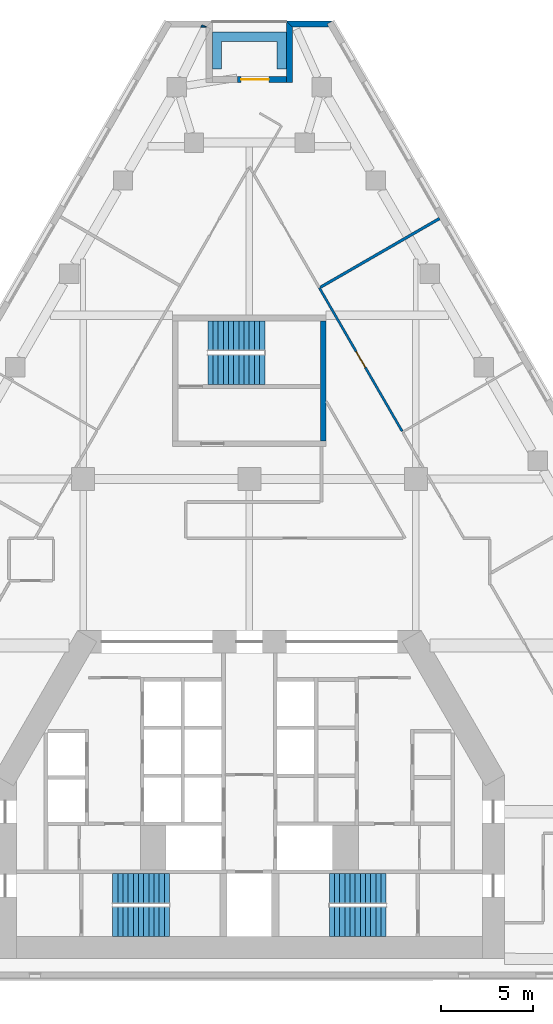
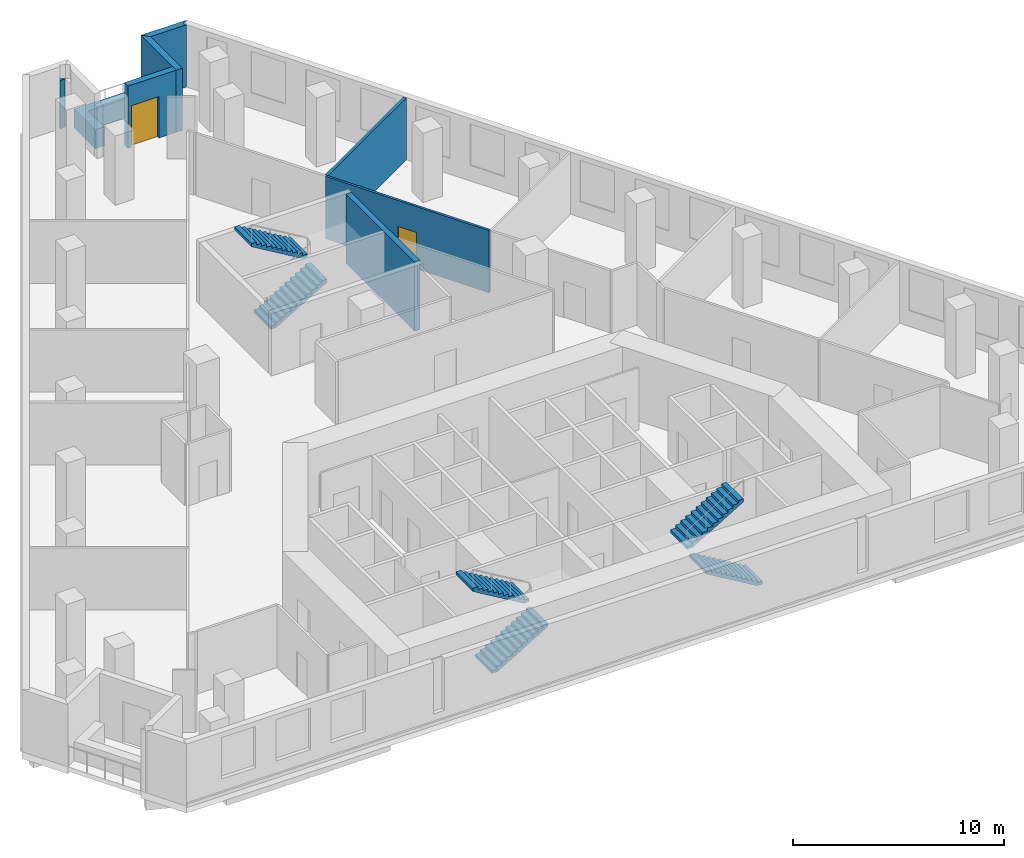
# One storey, part 9 of 10: 8 walls, 6 stair flights, 2 doors, 2 openings, 3 elements without a shape of their own.
"""IFC4 building model written with IfcOpenShell, lengths in metres."""

from ifc_helpers import new_model, si_unit, direction, frame, frame_2d, origin, place, context, subcontext, project, spatial, polyline, rectangle, outline, extrude, material, layer, layer_set, type_object, element, fill, aggregate, save


model = new_model("IFC4")

# Units and contexts
model_context = context("Model", 3, precision=1e-05, world=origin(), true_north=direction((0.0, 1.0)))
body_context = subcontext(model_context, "Body", "Model", "MODEL_VIEW")
ifc_project = project(units=[si_unit("LENGTHUNIT", "METRE"), si_unit("AREAUNIT", "SQUARE_METRE"), si_unit("VOLUMEUNIT", "CUBIC_METRE"), si_unit("PLANEANGLEUNIT", "RADIAN"), si_unit("MASSUNIT", "GRAM", prefix="KILO")], contexts=[model_context])

# Site, building, storey
site_placement = place(None, origin())
site = spatial("IfcSite", under=ifc_project, at=site_placement, CompositionType="ELEMENT")
building_placement = place(site_placement, origin())
building = spatial("IfcBuilding", under=site, at=building_placement, Name="Fogline Exchange Tower", CompositionType="ELEMENT")
storey_placement = place(building_placement, frame((0.0, 0.0, 128.10009765625)))
storey = spatial("IfcBuildingStorey", under=building, at=storey_placement, Name="L28", CompositionType="ELEMENT", Elevation=128.10009765625)

# Walls
ifc_material_1 = material(Name="Concrete C40", Category="concrete")
ifc_layer_1 = layer(ifc_material_1, 0.300048828125)
ifc_layer_set_1 = layer_set([ifc_layer_1], Name="CW30")
wall_type_1 = type_object("IfcWallType", Name="CW30", PredefinedType="SOLIDWALL", material=ifc_layer_set_1)
wall_1_placement = place(storey_placement, frame((4.0, 29.056884765625, -0.400146484375), z_axis=(0.0, 0.0, 1.0), x_axis=(0.0, 1.0, 0.0)))
element("IfcWall", 1, at=wall_1_placement, inside=storey, type_object=wall_type_1, Name="Stair enclosure wall ST3", PredefinedType="SOLIDWALL", context=body_context, shape_type="SweptSolid", body=[
    extrude(rectangle(XDim=6.5, YDim=0.300048828125, at=frame_2d((3.25, 0.0))), origin(), (0.0, 0.0, 1.0), 4.0),
])
ifc_material_2 = material(Name="Brick masonry", Category="masonry")
ifc_layer_2 = layer(ifc_material_2, 0.340087890625)
ifc_layer_set_2 = layer_set([ifc_layer_2], Name="FW1")
wall_type_2 = type_object("IfcWallType", Name="FW1", PredefinedType="SOLIDWALL", material=ifc_layer_set_2)
wall_2_placement = place(storey_placement, origin())
element("IfcWall", 2, at=wall_2_placement, inside=storey, type_object=wall_type_2, Name="Brick wall L28 N-c1", PredefinedType="SOLIDWALL", context=body_context, shape_type="SweptSolid", body=[
    extrude(outline(polyline([(1.9990234375, 51.77734375), (4.5009765625, 51.77734375), (4.501220703125, 51.776611328125), (4.206298828125, 51.6064453125), (4.3046875, 51.43603515625), (2.33984375, 51.43603515625), (1.998779296875, 51.77685546875), (1.9990234375, 51.77734375)])), origin(), (0.0, 0.0, 1.0), 3.599853515625),
])
wall_3_placement = place(storey_placement, origin())
element("IfcWall", 3, at=wall_3_placement, inside=storey, type_object=wall_type_2, Name="Brick wall L28 N-s1", PredefinedType="SOLIDWALL", context=body_context, shape_type="SweptSolid", body=[
    extrude(outline(polyline([(2.340576171875, 48.43603515625), (1.99951171875, 48.43603515625), (1.99951171875, 51.777587890625), (1.999755859375, 51.77783203125), (2.340576171875, 51.43701171875), (2.340576171875, 48.43603515625)])), origin(), (0.0, 0.0, 1.0), 3.599853515625),
])

# Wall, opening, door
wall_4_placement = place(storey_placement, frame((2.0, 48.606689453125, 0.0), z_axis=(0.0, 0.0, 1.0), x_axis=(-1.0, 0.0, 0.0)))
wall_4 = element("IfcWall", 4, at=wall_4_placement, inside=storey, type_object=wall_type_2, Name="Brick wall L28 N-bk", PredefinedType="SOLIDWALL", context=body_context, shape_type="SweptSolid", body=[
    extrude(rectangle(XDim=2.64404296875, YDim=0.340087890625, at=frame_2d((1.322021484375, 0.0))), origin(), (0.0, 0.0, 1.0), 3.599853515625),
])
opening_1_placement = place(wall_4_placement, frame((0.944091796875, 0.0, 0.0)))
opening_1 = element("IfcOpeningElement", 5, at=opening_1_placement, cuts=wall_4, Name="Opening T08-E141", PredefinedType="OPENING", context=body_context, shape_type="SweptSolid", body=[
    extrude(rectangle(XDim=1.5, YDim=2.39990234375, at=frame_2d((0.75, 1.199951171875))), frame((0.0, 0.18017578125, 0.0), z_axis=(0.0, -1.0, 0.0), x_axis=(1.0, 0.0, 0.0)), (0.0, 0.0, 1.0), 0.360107421875),
])
ifc_material_3 = material(Name="Aluminium and glass", Category="aluminium")
door_type_1 = type_object("IfcDoorType", Name="ED4", OperationType="SINGLE_SWING_LEFT", PredefinedType="DOOR", material=ifc_material_3)
door_1_placement = place(opening_1_placement, frame((1.5, 0.0, 0.0), z_axis=(0.0, 0.0, 1.0), x_axis=(-1.0, 0.0, 0.0)))
door_1 = element("IfcDoor", 6, at=door_1_placement, inside=storey, type_object=door_type_1, Name="Balcony door L28 N", OperationType="DOUBLE_DOOR_SINGLE_SWING", OverallHeight=2.39990234375, OverallWidth=1.5, PredefinedType="DOOR", context=body_context, shape_type="SweptSolid", body=[
    extrude(rectangle(XDim=1.5, YDim=2.39990234375, at=frame_2d((0.75, 1.199951171875))), frame((0.0, 0.02490234375, 0.0), z_axis=(0.0, -1.0, 0.0), x_axis=(1.0, 0.0, 0.0)), (0.0, 0.0, 1.0), 0.050048828125),
])
fill(opening_1, door_1)

# Walls
wall_5_placement = place(storey_placement, origin())
element("IfcWall", 7, at=wall_5_placement, inside=storey, type_object=wall_type_2, Name="Brick wall L28 N-c2", PredefinedType="SOLIDWALL", context=body_context, shape_type="SweptSolid", body=[
    extrude(outline(polyline([(-2.33984375, 51.43603515625), (-2.63232421875, 51.43603515625), (-2.56494140625, 51.5751953125), (-2.3193359375, 51.456298828125), (-2.33984375, 51.43603515625)])), origin(), (0.0, 0.0, 1.0), 2.7998046875),
])
ifc_material_4 = material(Name="Concrete C30", Category="concrete")
ifc_layer_3 = layer(ifc_material_4, 0.199951171875)
ifc_layer_set_3 = layer_set([ifc_layer_3], Name="PL1")
wall_type_3 = type_object("IfcWallType", Name="PL1", PredefinedType="USERDEFINED", material=ifc_layer_set_3)
wall_6_placement = place(storey_placement, origin())
element("IfcWall", 8, at=wall_6_placement, inside=storey, type_object=wall_type_3, Name="PLANTER balcony L28 N", ObjectType="PLANTER", PredefinedType="USERDEFINED", context=body_context, shape_type="SweptSolid", body=[
    extrude(outline(polyline([(-1.5, 51.1767578125), (-2.0, 51.1767578125), (-2.0, 50.6767578125), (-2.0, 49.1767578125), (-1.5, 49.1767578125), (-1.5, 50.6767578125), (1.5, 50.6767578125), (1.5, 49.1767578125), (2.0, 49.1767578125), (2.0, 50.6767578125), (2.0, 51.1767578125), (1.5, 51.1767578125), (-1.5, 51.1767578125)])), origin(), (0.0, 0.0, 1.0), 1.099853515625),
])

# Wall, opening, door
ifc_material_5 = material(Name="Plasterboard corridor partition with mineral wool, 2 layers each side")
ifc_layer_4 = layer(ifc_material_5, 0.125)
ifc_layer_set_4 = layer_set([ifc_layer_4], Name="PW2")
wall_type_4 = type_object("IfcWallType", Name="PW2", PredefinedType="PARTITIONING", material=ifc_layer_set_4)
wall_7_placement = place(storey_placement, frame((3.7841796875, 37.336669921875, 0.0), z_axis=(0.0, 0.0, 1.0), x_axis=(0.49998850867, -0.866032038205, 0.0)))
wall_7 = element("IfcWall", 9, at=wall_7_placement, inside=storey, type_object=wall_type_4, Name="wall-L28-W013", PredefinedType="PARTITIONING", context=body_context, shape_type="SweptSolid", body=[
    extrude(rectangle(XDim=8.949462890625, YDim=0.125, at=frame_2d((4.474609375, 0.0))), origin(), (0.0, 0.0, 1.0), 3.599853515625),
])
opening_2_placement = place(wall_7_placement, frame((3.974609375, 0.0, 0.0)))
opening_2 = element("IfcOpeningElement", 10, at=opening_2_placement, cuts=wall_7, Name="Opening T08-D006", PredefinedType="OPENING", context=body_context, shape_type="SweptSolid", body=[
    extrude(rectangle(XDim=1.0, YDim=2.10009765625, at=frame_2d((0.5, 1.050048828125))), frame((0.0, 0.072509765625, 0.0), z_axis=(0.0, -1.0, 0.0), x_axis=(1.0, 0.0, 0.0)), (0.0, 0.0, 1.0), 0.14501953125),
])
ifc_material_6 = material(Name="Fire-rated timber door leaf with steel frame", Category="steel")
door_type_2 = type_object("IfcDoorType", Name="D3", OperationType="SINGLE_SWING_LEFT", PredefinedType="DOOR", material=ifc_material_6)
door_2_placement = place(opening_2_placement, origin())
door_2 = element("IfcDoor", 11, at=door_2_placement, inside=storey, type_object=door_type_2, Name="door-L28-D006", OperationType="SINGLE_SWING_LEFT", OverallHeight=2.10009765625, OverallWidth=1.0, PredefinedType="DOOR", context=body_context, shape_type="SweptSolid", body=[
    extrude(rectangle(XDim=1.0, YDim=2.10009765625, at=frame_2d((0.5, 1.050048828125))), frame((0.0, 0.02490234375, 0.0), z_axis=(0.0, -1.0, 0.0), x_axis=(1.0, 0.0, 0.0)), (0.0, 0.0, 1.0), 0.050048828125),
])
fill(opening_2, door_2)

# Wall
ifc_material_7 = material(Name="Plasterboard demising partition with mineral wool and acoustic board")
ifc_layer_5 = layer(ifc_material_7, 0.14990234375)
ifc_layer_set_5 = layer_set([ifc_layer_5], Name="PW3")
wall_type_5 = type_object("IfcWallType", Name="PW3", PredefinedType="PARTITIONING", material=ifc_layer_set_5)
wall_8_placement = place(storey_placement, frame((3.838134765625, 37.367919921875, 0.0), z_axis=(0.0, 0.0, 1.0), x_axis=(0.866028703517, 0.499994284652, 0.0)))
element("IfcWall", 12, at=wall_8_placement, inside=storey, type_object=wall_type_5, Name="wall-L28-W036", PredefinedType="PARTITIONING", context=body_context, shape_type="SweptSolid", body=[
    extrude(rectangle(XDim=7.4375, YDim=0.14990234375, at=frame_2d((3.71875, 0.0))), origin(), (0.0, 0.0, 1.0), 3.599853515625),
])

# Stair, stair flights
stair_type = type_object("IfcStairType", Name="STR24-1667", PredefinedType="HALF_TURN_STAIR", material=ifc_material_1)
stair_1_placement = place(storey_placement, origin())
stair_1 = element("IfcStair", 13, at=stair_1_placement, inside=storey, type_object=stair_type, Name="Stair ST1", PredefinedType="HALF_TURN_STAIR")
stair_flight_type = type_object("IfcStairFlightType", Name="SF12-1667", PredefinedType="STRAIGHT", material=ifc_material_1)
stair_flight_1_placement = place(storey_placement, frame((-7.39990234375, 3.050048828125, 0.0), z_axis=(0.0, 0.0, 1.0), x_axis=(1.0, 0.0, 0.0)))
stair_flight_1 = element("IfcStairFlight", 14, at=stair_flight_1_placement, type_object=stair_flight_type, Name="ST1 flight 1", NumberOfRisers=12, NumberOfTreads=11, PredefinedType="STRAIGHT", RiserHeight=0.166666667, TreadLength=0.28, context=body_context, shape_type="SweptSolid", body=[
    extrude(outline(polyline([(0.0, 0.0), (0.0, 0.166748046875), (0.280029296875, 0.166748046875), (0.280029296875, 0.333251953125), (0.56005859375, 0.333251953125), (0.56005859375, 0.5), (0.840087890625, 0.5), (0.840087890625, 0.666748046875), (1.1201171875, 0.666748046875), (1.1201171875, 0.833251953125), (1.39990234375, 0.833251953125), (1.39990234375, 1.0), (1.679931640625, 1.0), (1.679931640625, 1.166748046875), (1.9599609375, 1.166748046875), (1.9599609375, 1.333251953125), (2.239990234375, 1.333251953125), (2.239990234375, 1.5), (2.52001953125, 1.5), (2.52001953125, 1.666748046875), (2.800048828125, 1.666748046875), (2.800048828125, 1.833251953125), (3.080078125, 1.833251953125), (3.080078125, 2.0), (3.080078125, 1.658935546875), (0.29296875, 0.0), (0.0, 0.0)])), frame((0.0, 0.800048828125, 0.0), z_axis=(0.0, -1.0, 0.0), x_axis=(1.0, 0.0, 0.0)), (0.0, 0.0, 1.0), 1.60009765625),
])
stair_flight_2_placement = place(storey_placement, frame((-4.320068359375, 4.85009765625, 2.0), z_axis=(0.0, 0.0, 1.0), x_axis=(-1.0, 0.0, 0.0)))
stair_flight_2 = element("IfcStairFlight", 15, at=stair_flight_2_placement, type_object=stair_flight_type, Name="ST1 flight 2", NumberOfRisers=12, NumberOfTreads=11, PredefinedType="STRAIGHT", RiserHeight=0.166666667, TreadLength=0.28, context=body_context, shape_type="SweptSolid", body=[
    extrude(outline(polyline([(0.0, 0.0), (0.0, 0.166748046875), (0.280029296875, 0.166748046875), (0.280029296875, 0.333251953125), (0.56005859375, 0.333251953125), (0.56005859375, 0.5), (0.840087890625, 0.5), (0.840087890625, 0.666748046875), (1.1201171875, 0.666748046875), (1.1201171875, 0.833251953125), (1.39990234375, 0.833251953125), (1.39990234375, 1.0), (1.679931640625, 1.0), (1.679931640625, 1.166748046875), (1.9599609375, 1.166748046875), (1.9599609375, 1.333251953125), (2.239990234375, 1.333251953125), (2.239990234375, 1.5), (2.52001953125, 1.5), (2.52001953125, 1.666748046875), (2.800048828125, 1.666748046875), (2.800048828125, 1.833251953125), (3.080078125, 1.833251953125), (3.080078125, 2.0), (3.080078125, 1.658935546875), (0.29296875, 0.0), (0.0, 0.0)])), frame((0.0, 0.800048828125, 0.0), z_axis=(0.0, -1.0, 0.0), x_axis=(1.0, 0.0, 0.0)), (0.0, 0.0, 1.0), 1.60009765625),
])
aggregate(stair_1, [stair_flight_1, stair_flight_2])

stair_2_placement = place(storey_placement, origin())
stair_2 = element("IfcStair", 16, at=stair_2_placement, inside=storey, type_object=stair_type, Name="Stair ST2", PredefinedType="HALF_TURN_STAIR")
stair_flight_3_placement = place(storey_placement, frame((7.39990234375, 3.050048828125, 0.0), z_axis=(0.0, 0.0, 1.0), x_axis=(-1.0, 0.0, 0.0)))
stair_flight_3 = element("IfcStairFlight", 17, at=stair_flight_3_placement, type_object=stair_flight_type, Name="ST2 flight 1", NumberOfRisers=12, NumberOfTreads=11, PredefinedType="STRAIGHT", RiserHeight=0.166666667, TreadLength=0.28, context=body_context, shape_type="SweptSolid", body=[
    extrude(outline(polyline([(0.0, 0.0), (0.0, 0.166748046875), (0.280029296875, 0.166748046875), (0.280029296875, 0.333251953125), (0.56005859375, 0.333251953125), (0.56005859375, 0.5), (0.840087890625, 0.5), (0.840087890625, 0.666748046875), (1.1201171875, 0.666748046875), (1.1201171875, 0.833251953125), (1.39990234375, 0.833251953125), (1.39990234375, 1.0), (1.679931640625, 1.0), (1.679931640625, 1.166748046875), (1.9599609375, 1.166748046875), (1.9599609375, 1.333251953125), (2.239990234375, 1.333251953125), (2.239990234375, 1.5), (2.52001953125, 1.5), (2.52001953125, 1.666748046875), (2.800048828125, 1.666748046875), (2.800048828125, 1.833251953125), (3.080078125, 1.833251953125), (3.080078125, 2.0), (3.080078125, 1.658935546875), (0.29296875, 0.0), (0.0, 0.0)])), frame((0.0, 0.800048828125, 0.0), z_axis=(0.0, -1.0, 0.0), x_axis=(1.0, 0.0, 0.0)), (0.0, 0.0, 1.0), 1.60009765625),
])
stair_flight_4_placement = place(storey_placement, frame((4.320068359375, 4.85009765625, 2.0), z_axis=(0.0, 0.0, 1.0), x_axis=(1.0, 0.0, 0.0)))
stair_flight_4 = element("IfcStairFlight", 18, at=stair_flight_4_placement, type_object=stair_flight_type, Name="ST2 flight 2", NumberOfRisers=12, NumberOfTreads=11, PredefinedType="STRAIGHT", RiserHeight=0.166666667, TreadLength=0.28, context=body_context, shape_type="SweptSolid", body=[
    extrude(outline(polyline([(0.0, 0.0), (0.0, 0.166748046875), (0.280029296875, 0.166748046875), (0.280029296875, 0.333251953125), (0.56005859375, 0.333251953125), (0.56005859375, 0.5), (0.840087890625, 0.5), (0.840087890625, 0.666748046875), (1.1201171875, 0.666748046875), (1.1201171875, 0.833251953125), (1.39990234375, 0.833251953125), (1.39990234375, 1.0), (1.679931640625, 1.0), (1.679931640625, 1.166748046875), (1.9599609375, 1.166748046875), (1.9599609375, 1.333251953125), (2.239990234375, 1.333251953125), (2.239990234375, 1.5), (2.52001953125, 1.5), (2.52001953125, 1.666748046875), (2.800048828125, 1.666748046875), (2.800048828125, 1.833251953125), (3.080078125, 1.833251953125), (3.080078125, 2.0), (3.080078125, 1.658935546875), (0.29296875, 0.0), (0.0, 0.0)])), frame((0.0, 0.800048828125, 0.0), z_axis=(0.0, -1.0, 0.0), x_axis=(1.0, 0.0, 0.0)), (0.0, 0.0, 1.0), 1.60009765625),
])
aggregate(stair_2, [stair_flight_3, stair_flight_4])

stair_3_placement = place(storey_placement, origin())
stair_3 = element("IfcStair", 19, at=stair_3_placement, inside=storey, type_object=stair_type, Name="Stair ST3", PredefinedType="HALF_TURN_STAIR")
stair_flight_5_placement = place(storey_placement, frame((-2.25, 32.906982421875, 0.0), z_axis=(0.0, 0.0, 1.0), x_axis=(1.0, 0.0, 0.0)))
stair_flight_5 = element("IfcStairFlight", 20, at=stair_flight_5_placement, type_object=stair_flight_type, Name="ST3 flight 1", NumberOfRisers=12, NumberOfTreads=11, PredefinedType="STRAIGHT", RiserHeight=0.166666667, TreadLength=0.28, context=body_context, shape_type="SweptSolid", body=[
    extrude(outline(polyline([(0.0, 0.0), (0.0, 0.166748046875), (0.280029296875, 0.166748046875), (0.280029296875, 0.333251953125), (0.56005859375, 0.333251953125), (0.56005859375, 0.5), (0.840087890625, 0.5), (0.840087890625, 0.666748046875), (1.1201171875, 0.666748046875), (1.1201171875, 0.833251953125), (1.39990234375, 0.833251953125), (1.39990234375, 1.0), (1.679931640625, 1.0), (1.679931640625, 1.166748046875), (1.9599609375, 1.166748046875), (1.9599609375, 1.333251953125), (2.239990234375, 1.333251953125), (2.239990234375, 1.5), (2.52001953125, 1.5), (2.52001953125, 1.666748046875), (2.800048828125, 1.666748046875), (2.800048828125, 1.833251953125), (3.080078125, 1.833251953125), (3.080078125, 2.0), (3.080078125, 1.658935546875), (0.29296875, 0.0), (0.0, 0.0)])), frame((0.0, 0.800048828125, 0.0), z_axis=(0.0, -1.0, 0.0), x_axis=(1.0, 0.0, 0.0)), (0.0, 0.0, 1.0), 1.60009765625),
])
stair_flight_6_placement = place(storey_placement, frame((0.830078125, 34.757080078125, 2.0), z_axis=(0.0, 0.0, 1.0), x_axis=(-1.0, 0.0, 0.0)))
stair_flight_6 = element("IfcStairFlight", 21, at=stair_flight_6_placement, type_object=stair_flight_type, Name="ST3 flight 2", NumberOfRisers=12, NumberOfTreads=11, PredefinedType="STRAIGHT", RiserHeight=0.166666667, TreadLength=0.28, context=body_context, shape_type="SweptSolid", body=[
    extrude(outline(polyline([(0.0, 0.0), (0.0, 0.166748046875), (0.280029296875, 0.166748046875), (0.280029296875, 0.333251953125), (0.56005859375, 0.333251953125), (0.56005859375, 0.5), (0.840087890625, 0.5), (0.840087890625, 0.666748046875), (1.1201171875, 0.666748046875), (1.1201171875, 0.833251953125), (1.39990234375, 0.833251953125), (1.39990234375, 1.0), (1.679931640625, 1.0), (1.679931640625, 1.166748046875), (1.9599609375, 1.166748046875), (1.9599609375, 1.333251953125), (2.239990234375, 1.333251953125), (2.239990234375, 1.5), (2.52001953125, 1.5), (2.52001953125, 1.666748046875), (2.800048828125, 1.666748046875), (2.800048828125, 1.833251953125), (3.080078125, 1.833251953125), (3.080078125, 2.0), (3.080078125, 1.658935546875), (0.29296875, 0.0), (0.0, 0.0)])), frame((0.0, 0.800048828125, 0.0), z_axis=(0.0, -1.0, 0.0), x_axis=(1.0, 0.0, 0.0)), (0.0, 0.0, 1.0), 1.60009765625),
])
aggregate(stair_3, [stair_flight_5, stair_flight_6])

save(model, "model.ifc")
